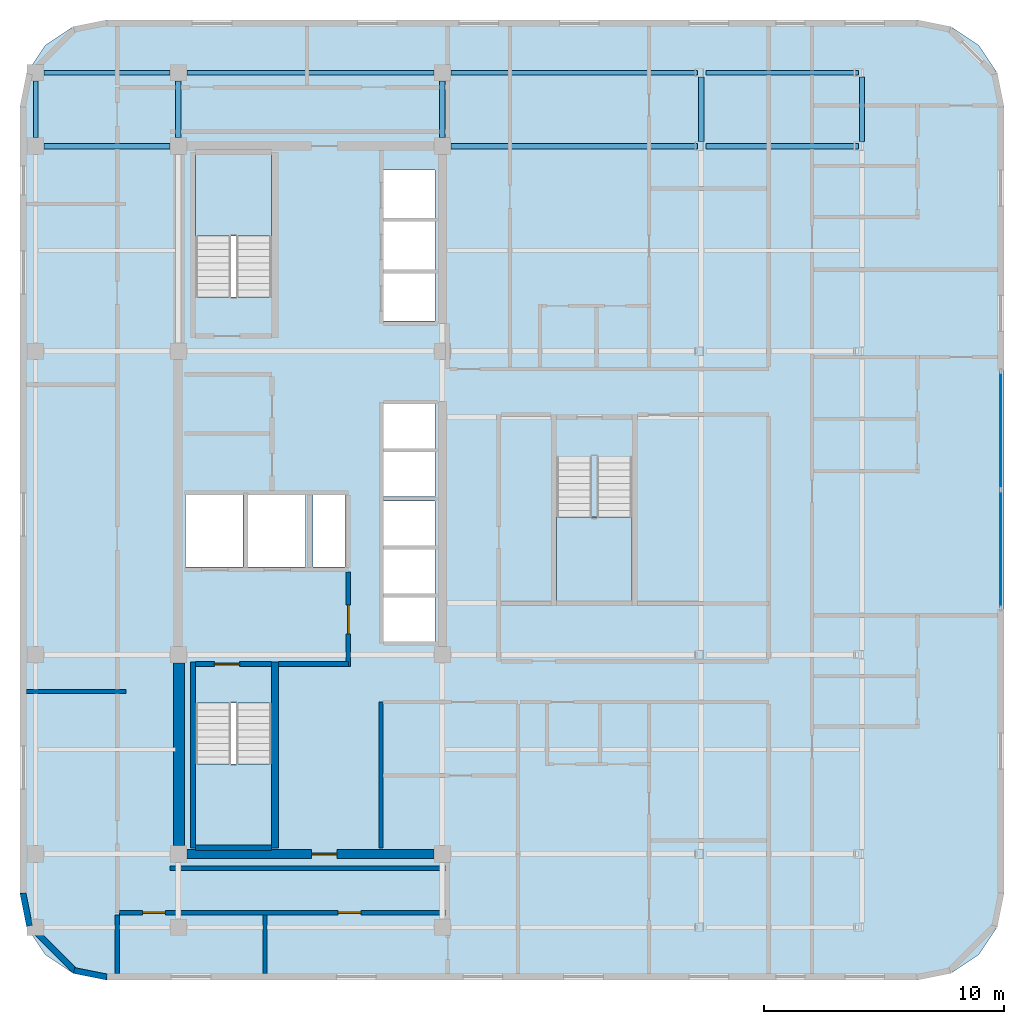
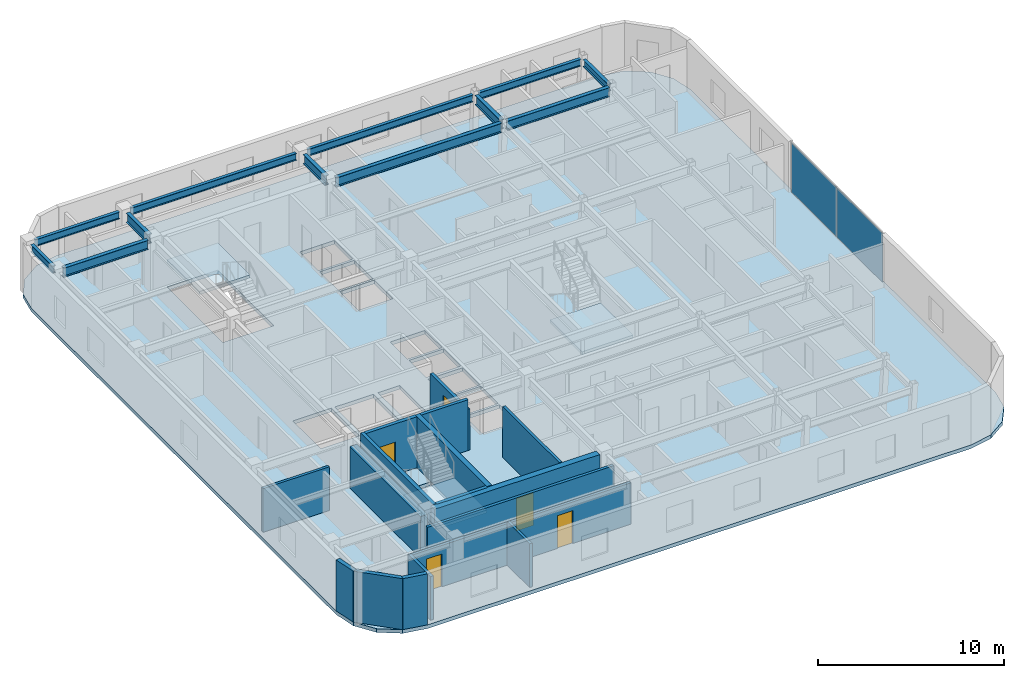
# One storey, part 3 of 9: 17 walls, 12 beams, 5 doors, 4 slabs, 2 plates, 5 openings, 4 elements without a shape of their own.
"""IFC4 building model written with IfcOpenShell, lengths in metres."""

from ifc_helpers import new_model, si_unit, direction, frame, frame_2d, origin, origin_2d, place, context, subcontext, project, spatial, polyline, rectangle, i_section, outline, extrude, material, layer, layer_set, material_profile, profile_set, type_object, element, fill, aggregate, save


model = new_model("IFC4")

# Units and contexts
model_context = context("Model", 3, precision=1e-05, world=origin(), true_north=direction((0.0, 1.0)))
body_context = subcontext(model_context, "Body", "Model", "MODEL_VIEW")
ifc_project = project(units=[si_unit("LENGTHUNIT", "METRE"), si_unit("AREAUNIT", "SQUARE_METRE"), si_unit("VOLUMEUNIT", "CUBIC_METRE"), si_unit("PLANEANGLEUNIT", "RADIAN"), si_unit("MASSUNIT", "GRAM", prefix="KILO")], contexts=[model_context])

# Site, building, storey
site_placement = place(None, origin())
site = spatial("IfcSite", under=ifc_project, at=site_placement, CompositionType="ELEMENT")
building_placement = place(site_placement, origin())
building = spatial("IfcBuilding", under=site, at=building_placement, Name="Ochreholt Gables", CompositionType="ELEMENT")
storey_placement = place(building_placement, frame((0.0, 0.0, 169.800048828125)))
storey = spatial("IfcBuildingStorey", under=building, at=storey_placement, Name="L44", CompositionType="ELEMENT", Elevation=169.800048828125)

# Beams
ifc_material_1 = material(Name="Steel CSA G40.21 350W", Category="steel")
ifc_material_profile_1 = material_profile(ifc_material_1, i_section(OverallWidth=0.22900390625, OverallDepth=0.612060546875, WebThickness=0.011962890625, FlangeThickness=0.01953125, at=origin_2d()), Name="W610X125")
ifc_profile_set_1 = profile_set([ifc_material_profile_1], Name="Steel CSA G40.21 350W")
beam_type_1 = type_object("IfcBeamType", Name="BM-G-W610B", PredefinedType="BEAM", material=ifc_profile_set_1)
beam_1_placement = place(storey_placement, frame((18.599609375, 38.75, 3.0439453125), z_axis=(1.0, 0.0, 0.0), x_axis=(0.0, 1.0, 0.0)))
element("IfcBeam", 1, at=beam_1_placement, inside=storey, type_object=beam_type_1, Name="L44 Beam TBG-L44-W3C1-Y5", PredefinedType="BEAM", context=body_context, shape_type="SweptSolid", body=[
    extrude(i_section(OverallWidth=0.22900390625, OverallDepth=0.612060546875, WebThickness=0.011962890625, FlangeThickness=0.01953125, at=origin_2d()), origin(), (0.0, 0.0, 1.0), 5.250732421875),
])
beam_2_placement = place(storey_placement, frame((35.549560546875, 38.75, 3.0439453125), z_axis=(1.0, 0.0, 0.0), x_axis=(0.0, 1.0, 0.0)))
element("IfcBeam", 2, at=beam_2_placement, inside=storey, type_object=beam_type_1, Name="L44 Beam TBG-L44-C2EM-Y5", PredefinedType="BEAM", context=body_context, shape_type="SweptSolid", body=[
    extrude(i_section(OverallWidth=0.22900390625, OverallDepth=0.612060546875, WebThickness=0.011962890625, FlangeThickness=0.01953125, at=origin_2d()), origin(), (0.0, 0.0, 1.0), 10.27783203125),
])
beam_3_placement = place(storey_placement, frame((46.1826171875, 38.75, 3.0439453125), z_axis=(1.0, 0.0, 0.0), x_axis=(0.0, 1.0, 0.0)))
element("IfcBeam", 3, at=beam_3_placement, inside=storey, type_object=beam_type_1, Name="L44 Beam TBG-L44-EMEE-Y5", PredefinedType="BEAM", context=body_context, shape_type="SweptSolid", body=[
    extrude(i_section(OverallWidth=0.22900390625, OverallDepth=0.612060546875, WebThickness=0.011962890625, FlangeThickness=0.01953125, at=origin_2d()), origin(), (0.0, 0.0, 1.0), 6.353759765625),
])
for number, where, z_axis, x_axis, name in (
    (4, (24.199951171875, 39.099609375, 3.0439453125), (0.0, 1.0, 0.0), (-1.0, 0.0, 0.0), "L44 Beam TBN-L44-C1-Y5Y6"),
    (5, (35.199951171875, 39.099609375, 3.0439453125), (0.0, 1.0, 0.0), (-1.0, 0.0, 0.0), "L44 Beam TBN-L44-C2-Y5Y6"),
):
    element("IfcBeam", number, at=place(storey_placement, frame(where, z_axis=z_axis, x_axis=x_axis)), inside=storey, type_object=beam_type_1, Name=name, PredefinedType="BEAM", context=body_context, shape_type="SweptSolid", body=[
        extrude(i_section(OverallWidth=0.22900390625, OverallDepth=0.612060546875, WebThickness=0.011962890625, FlangeThickness=0.01953125, at=origin_2d()), origin(), (0.0, 0.0, 1.0), 2.350830078125),
    ])
beam_4_placement = place(storey_placement, frame((45.987548828125, 38.927490234375, 3.0439453125), z_axis=(0.0, 1.0, 0.0), x_axis=(-1.0, 0.0, 0.0)))
element("IfcBeam", 6, at=beam_4_placement, inside=storey, type_object=beam_type_1, Name="L44 Beam TBN-L44-EM-Y5Y6", PredefinedType="BEAM", context=body_context, shape_type="SweptSolid", body=[
    extrude(i_section(OverallWidth=0.22900390625, OverallDepth=0.612060546875, WebThickness=0.011962890625, FlangeThickness=0.01953125, at=origin_2d()), origin(), (0.0, 0.0, 1.0), 2.69482421875),
])
ifc_material_profile_2 = material_profile(ifc_material_1, i_section(OverallWidth=0.19189453125, OverallDepth=0.462890625, WebThickness=0.010498046875, FlangeThickness=0.017578125, at=origin_2d()), Name="W460X89")
ifc_profile_set_2 = profile_set([ifc_material_profile_2], Name="Steel CSA G40.21 350W")
beam_type_2 = type_object("IfcBeamType", Name="BM-SP-W460A", PredefinedType="SPANDREL", material=ifc_profile_set_2)
beam_5_placement = place(storey_placement, frame((18.599609375, 41.800048828125, 3.118408203125), z_axis=(1.0, 0.0, 0.0), x_axis=(0.0, 1.0, 0.0)))
element("IfcBeam", 7, at=beam_5_placement, inside=storey, type_object=beam_type_2, Name="L44 Beam TBG-L44-W3C1-Y6", PredefinedType="SPANDREL", context=body_context, shape_type="SweptSolid", body=[
    extrude(i_section(OverallWidth=0.19189453125, OverallDepth=0.462890625, WebThickness=0.010498046875, FlangeThickness=0.017578125, at=origin_2d()), origin(), (0.0, 0.0, 1.0), 5.250732421875),
])
beam_6_placement = place(storey_placement, frame((24.549560546875, 41.800048828125, 3.118408203125), z_axis=(1.0, 0.0, 0.0), x_axis=(0.0, 1.0, 0.0)))
element("IfcBeam", 8, at=beam_6_placement, inside=storey, type_object=beam_type_2, Name="L44 Beam TBG-L44-C1C2-Y6", PredefinedType="SPANDREL", context=body_context, shape_type="SweptSolid", body=[
    extrude(i_section(OverallWidth=0.19189453125, OverallDepth=0.462890625, WebThickness=0.010498046875, FlangeThickness=0.017578125, at=origin_2d()), origin(), (0.0, 0.0, 1.0), 10.30078125),
])
beam_7_placement = place(storey_placement, frame((35.549560546875, 41.800048828125, 3.118408203125), z_axis=(1.0, 0.0, 0.0), x_axis=(0.0, 1.0, 0.0)))
element("IfcBeam", 9, at=beam_7_placement, inside=storey, type_object=beam_type_2, Name="L44 Beam TBG-L44-C2EM-Y6", PredefinedType="SPANDREL", context=body_context, shape_type="SweptSolid", body=[
    extrude(i_section(OverallWidth=0.19189453125, OverallDepth=0.462890625, WebThickness=0.010498046875, FlangeThickness=0.017578125, at=origin_2d()), origin(), (0.0, 0.0, 1.0), 10.27783203125),
])
beam_8_placement = place(storey_placement, frame((46.1826171875, 41.800048828125, 3.118408203125), z_axis=(1.0, 0.0, 0.0), x_axis=(0.0, 1.0, 0.0)))
element("IfcBeam", 10, at=beam_8_placement, inside=storey, type_object=beam_type_2, Name="L44 Beam TBG-L44-EMEE-Y6", PredefinedType="SPANDREL", context=body_context, shape_type="SweptSolid", body=[
    extrude(i_section(OverallWidth=0.19189453125, OverallDepth=0.462890625, WebThickness=0.010498046875, FlangeThickness=0.017578125, at=origin_2d()), origin(), (0.0, 0.0, 1.0), 6.353759765625),
])
beam_9_placement = place(storey_placement, frame((18.25, 39.099609375, 3.118408203125), z_axis=(0.0, 1.0, 0.0), x_axis=(-1.0, 0.0, 0.0)))
element("IfcBeam", 11, at=beam_9_placement, inside=storey, type_object=beam_type_2, Name="L44 Beam TBN-L44-W3-Y5Y6", PredefinedType="SPANDREL", context=body_context, shape_type="SweptSolid", body=[
    extrude(i_section(OverallWidth=0.19189453125, OverallDepth=0.462890625, WebThickness=0.010498046875, FlangeThickness=0.017578125, at=origin_2d()), origin(), (0.0, 0.0, 1.0), 2.350830078125),
])
beam_10_placement = place(storey_placement, frame((52.68505859375, 38.927490234375, 3.118408203125), z_axis=(0.0, 1.0, 0.0), x_axis=(-1.0, 0.0, 0.0)))
element("IfcBeam", 12, at=beam_10_placement, inside=storey, type_object=beam_type_2, Name="L44 Beam TBN-L44-EE-Y5Y6", PredefinedType="SPANDREL", context=body_context, shape_type="SweptSolid", body=[
    extrude(i_section(OverallWidth=0.19189453125, OverallDepth=0.462890625, WebThickness=0.010498046875, FlangeThickness=0.017578125, at=origin_2d()), origin(), (0.0, 0.0, 1.0), 2.69482421875),
])

# Curtain wall, plates
ifc_material_2 = material(Name="Unitised Aluminium and Triple Glazing", Category="aluminium")
ifc_layer_1 = layer(ifc_material_2, 0.199951171875, Name="Unitised Aluminium and Triple Glazing")
ifc_layer_set_1 = layer_set([ifc_layer_1], Name="Unitised Aluminium and Triple Glazing")
curtain_wall_type = type_object("IfcCurtainWallType", Name="CW-SYS4", PredefinedType="NOTDEFINED", material=ifc_layer_set_1)
curtain_wall_placement = place(storey_placement, origin())
curtain_wall = element("IfcCurtainWall", 13, at=curtain_wall_placement, inside=storey, type_object=curtain_wall_type, Name="L44 East Unitised Curtain Wall", PredefinedType="NOTDEFINED")
ifc_material_3 = material(Name="Triple Low-E Insulating Glass", Category="glass")
ifc_layer_2 = layer(ifc_material_3, 0.035888671875, Name="Triple Low-E Insulating Glass")
ifc_layer_set_2 = layer_set([ifc_layer_2], Name="Triple Low-E Insulating Glass")
plate_type = type_object("IfcPlateType", Name="CW-PNL-36", PredefinedType="CURTAIN_PANEL", material=ifc_layer_set_2)
plate_1_placement = place(storey_placement, frame((58.4599609375, 21.956298828125, 0.06494140625), z_axis=(0.0, 0.0, 1.0), x_axis=(0.0, 1.0, 0.0)))
plate_1 = element("IfcPlate", 14, at=plate_1_placement, type_object=plate_type, Name="CW-4 panel 1.1", PredefinedType="CURTAIN_PANEL", context=body_context, shape_type="SweptSolid", body=[
    extrude(rectangle(XDim=4.862548828125, YDim=0.035888671875, at=origin_2d()), origin(), (0.0, 0.0, 1.0), 3.219970703125),
])
plate_2_placement = place(storey_placement, frame((58.4599609375, 26.893798828125, 0.06494140625), z_axis=(0.0, 0.0, 1.0), x_axis=(0.0, 1.0, 0.0)))
plate_2 = element("IfcPlate", 15, at=plate_2_placement, type_object=plate_type, Name="CW-4 panel 2.1", PredefinedType="CURTAIN_PANEL", context=body_context, shape_type="SweptSolid", body=[
    extrude(rectangle(XDim=4.862548828125, YDim=0.035888671875, at=origin_2d()), origin(), (0.0, 0.0, 1.0), 3.219970703125),
])
aggregate(curtain_wall, [plate_1, plate_2])

# Stair, slab
ifc_material_4 = material(Name="Concrete 40 MPa", Category="concrete")
stair_type_1 = type_object("IfcStairType", Name="STAIR-CORE-ST-1", PredefinedType="HALF_TURN_STAIR", material=ifc_material_4)
stair_1_placement = place(storey_placement, origin())
stair_1 = element("IfcStair", 16, at=stair_1_placement, inside=storey, type_object=stair_type_1, Name="L44 Core Exit Stair 1", PredefinedType="HALF_TURN_STAIR")
ifc_layer_3 = layer(ifc_material_4, 0.199951171875, Name="Concrete 40 MPa")
ifc_layer_set_3 = layer_set([ifc_layer_3], Name="Concrete 40 MPa")
slab_type_1 = type_object("IfcSlabType", Name="LANDING-RC200", PredefinedType="LANDING", material=ifc_layer_set_3)
slab_1_placement = place(storey_placement, frame((0.0, 0.0, 1.599853515625)))
slab_1 = element("IfcSlab", 17, at=slab_1_placement, type_object=slab_type_1, Name="ST-1 landing 1", PredefinedType="LANDING", context=body_context, shape_type="SweptSolid", body=[
    extrude(outline(polyline([(24.919921875, 13.001953125), (24.919921875, 9.52001953125), (28.080078125, 9.52001953125), (28.080078125, 13.001953125), (24.919921875, 13.001953125)])), origin(), (0.0, 0.0, 1.0), 0.2001953125),
])
aggregate(stair_1, [slab_1])

stair_type_2 = type_object("IfcStairType", Name="STAIR-CORE-ST-2", PredefinedType="HALF_TURN_STAIR", material=ifc_material_4)
stair_2_placement = place(storey_placement, origin())
stair_2 = element("IfcStair", 18, at=stair_2_placement, inside=storey, type_object=stair_type_2, Name="L44 Core Exit Stair 2", PredefinedType="HALF_TURN_STAIR")
slab_2_placement = place(storey_placement, frame((0.0, 0.0, 1.599853515625)))
slab_2 = element("IfcSlab", 19, at=slab_2_placement, type_object=slab_type_1, Name="ST-2 landing 1", PredefinedType="LANDING", context=body_context, shape_type="SweptSolid", body=[
    extrude(outline(polyline([(28.080078125, 34.998046875), (28.080078125, 38.47998046875), (24.919921875, 38.47998046875), (24.919921875, 34.998046875), (28.080078125, 34.998046875)])), origin(), (0.0, 0.0, 1.0), 0.2001953125),
])
aggregate(stair_2, [slab_2])

stair_type_3 = type_object("IfcStairType", Name="STAIR-CORE-ST-C4", PredefinedType="HALF_TURN_STAIR", material=ifc_material_4)
stair_3_placement = place(storey_placement, origin())
stair_3 = element("IfcStair", 20, at=stair_3_placement, inside=storey, type_object=stair_type_3, Name="L44 Community Feature Stair ST-C4", PredefinedType="HALF_TURN_STAIR")
slab_3_placement = place(storey_placement, frame((0.0, 0.0, 1.599853515625)))
slab_3 = element("IfcSlab", 21, at=slab_3_placement, type_object=slab_type_1, Name="ST-C4 landing 1", PredefinedType="LANDING", context=body_context, shape_type="SweptSolid", body=[
    extrude(outline(polyline([(39.949951171875, 23.281982421875), (39.949951171875, 19.800048828125), (43.110107421875, 19.800048828125), (43.110107421875, 23.281982421875), (39.949951171875, 23.281982421875)])), origin(), (0.0, 0.0, 1.0), 0.2001953125),
])
aggregate(stair_3, [slab_3])

# Slab
ifc_layer_4 = layer(ifc_material_4, 0.239990234375, Name="Concrete 40 MPa")
ifc_layer_set_4 = layer_set([ifc_layer_4], Name="Concrete 40 MPa")
slab_type_2 = type_object("IfcSlabType", Name="SLAB-TWR-240", PredefinedType="FLOOR", material=ifc_layer_set_4)
slab_4_placement = place(storey_placement, frame((0.0, 0.0, -0.239990234375)))
element("IfcSlab", 22, at=slab_4_placement, inside=storey, type_object=slab_type_2, Name="L44 Structural Floor Slab", PredefinedType="FLOOR", context=body_context, shape_type="SweptSolid", body=[
    extrude(outline(polyline([(17.60009765625, 7.60009765625), (17.8740234375, 6.222412109375), (18.654296875, 5.054443359375), (19.822265625, 4.27392578125), (21.199951171875, 4.0), (55.0, 4.0), (56.377685546875, 4.27392578125), (57.545654296875, 5.054443359375), (58.325927734375, 6.222412109375), (58.60009765625, 7.60009765625), (58.60009765625, 40.39990234375), (58.325927734375, 41.777587890625), (57.545654296875, 42.945556640625), (56.377685546875, 43.72607421875), (55.0, 44.0), (21.199951171875, 44.0), (19.822265625, 43.72607421875), (18.654296875, 42.945556640625), (17.8740234375, 41.777587890625), (17.60009765625, 40.39990234375), (17.60009765625, 7.60009765625)]), holes=[polyline([(24.919921875, 15.539306640625), (24.919921875, 9.52001953125), (28.080078125, 9.52001953125), (28.080078125, 15.539306640625), (24.919921875, 15.539306640625)]), polyline([(28.080078125, 32.460693359375), (28.080078125, 38.47998046875), (24.919921875, 38.47998046875), (24.919921875, 32.460693359375), (28.080078125, 32.460693359375)]), polyline([(24.5, 21.199951171875), (26.89990234375, 21.199951171875), (26.89990234375, 24.199951171875), (24.5, 24.199951171875), (24.5, 21.199951171875)]), polyline([(27.10009765625, 21.199951171875), (29.5, 21.199951171875), (29.5, 24.199951171875), (27.10009765625, 24.199951171875), (27.10009765625, 21.199951171875)]), polyline([(32.75, 18.10009765625), (34.89990234375, 18.10009765625), (34.89990234375, 19.949951171875), (32.75, 19.949951171875), (32.75, 18.10009765625)]), polyline([(32.75, 20.10009765625), (34.89990234375, 20.10009765625), (34.89990234375, 21.949951171875), (32.75, 21.949951171875), (32.75, 20.10009765625)]), polyline([(32.75, 22.10009765625), (34.89990234375, 22.10009765625), (34.89990234375, 23.949951171875), (32.75, 23.949951171875), (32.75, 22.10009765625)]), polyline([(32.75, 24.14990234375), (34.89990234375, 24.14990234375), (34.89990234375, 26.0), (32.75, 26.0), (32.75, 24.14990234375)]), polyline([(32.75, 26.14990234375), (34.89990234375, 26.14990234375), (34.89990234375, 28.0), (32.75, 28.0), (32.75, 26.14990234375)]), polyline([(32.75, 31.449951171875), (34.89990234375, 31.449951171875), (34.89990234375, 33.449951171875), (32.75, 33.449951171875), (32.75, 31.449951171875)]), polyline([(32.75, 33.60009765625), (34.89990234375, 33.60009765625), (34.89990234375, 35.60009765625), (32.75, 35.60009765625), (32.75, 33.60009765625)]), polyline([(32.75, 35.75), (34.89990234375, 35.75), (34.89990234375, 37.75), (32.75, 37.75), (32.75, 35.75)]), polyline([(29.800048828125, 21.199951171875), (31.14990234375, 21.199951171875), (31.14990234375, 24.199951171875), (29.800048828125, 24.199951171875), (29.800048828125, 21.199951171875)])]), origin(), (0.0, 0.0, 1.0), 0.239990234375),
])

# Wall, opening, door
ifc_material_5 = material(Name="Concrete 50 MPa", Category="concrete")
ifc_layer_5 = layer(ifc_material_5, 0.3798828125, Name="Concrete 50 MPa")
ifc_layer_set_5 = layer_set([ifc_layer_5], Name="Concrete 50 MPa")
wall_type_1 = type_object("IfcWallType", Name="WALL-CSW-380", PredefinedType="SHEAR", material=ifc_layer_set_5)
wall_1_placement = place(storey_placement, frame((24.550048828125, 9.25, 0.0), z_axis=(0.0, 0.0, 1.0), x_axis=(1.0, 0.0, 0.0)))
wall_1 = element("IfcWall", 23, at=wall_1_placement, inside=storey, type_object=wall_type_1, Name="L44 Core South Shear Wall", PredefinedType="SHEAR", context=body_context, shape_type="SweptSolid", body=[
    extrude(rectangle(XDim=10.300048828125, YDim=0.3798828125, at=frame_2d((5.14990234375, 0.0))), origin(), (0.0, 0.0, 1.0), 3.349853515625),
])
opening_1_placement = place(wall_1_placement, frame((5.199951171875, 0.0, 0.0)))
opening_1 = element("IfcOpeningElement", 24, at=opening_1_placement, cuts=wall_1, Name="Opening D-FLB", PredefinedType="OPENING", context=body_context, shape_type="SweptSolid", body=[
    extrude(rectangle(XDim=1.050048828125, YDim=2.14990234375, at=frame_2d((0.52490234375, 1.074951171875))), frame((0.0, 0.199951171875, 0.0), z_axis=(0.0, -1.0, 0.0), x_axis=(1.0, 0.0, 0.0)), (0.0, 0.0, 1.0), 0.39990234375),
])
ifc_material_6 = material(Name="Hollow Metal Steel", Category="steel")
door_type_1 = type_object("IfcDoorType", Name="DR-INT-FLB1050", OperationType="NOTDEFINED", PredefinedType="DOOR", material=ifc_material_6)
door_1_placement = place(opening_1_placement, origin())
door_1 = element("IfcDoor", 25, at=door_1_placement, inside=storey, type_object=door_type_1, Name="L44 Door D-C2CRS-L44", OperationType="SINGLE_SWING_LEFT", OverallHeight=2.14990234375, OverallWidth=1.050048828125, PredefinedType="DOOR", context=body_context, shape_type="SweptSolid", body=[
    extrude(rectangle(XDim=1.050048828125, YDim=2.14990234375, at=frame_2d((0.52490234375, 1.074951171875))), frame((0.0, 0.02490234375, 0.0), z_axis=(0.0, -1.0, 0.0), x_axis=(1.0, 0.0, 0.0)), (0.0, 0.0, 1.0), 0.050048828125),
])
fill(opening_1, door_1)

# Walls
ifc_material_7 = material(Name="Concrete 60 MPa", Category="concrete")
ifc_layer_6 = layer(ifc_material_7, 0.449951171875, Name="Concrete 60 MPa")
ifc_layer_set_6 = layer_set([ifc_layer_6], Name="Concrete 60 MPa")
wall_type_2 = type_object("IfcWallType", Name="WALL-CSW-450", PredefinedType="SHEAR", material=ifc_layer_set_6)
wall_2_placement = place(storey_placement, frame((24.22509765625, 9.60009765625, 0.0), z_axis=(0.0, 0.0, 1.0), x_axis=(0.0, 1.0, 0.0)))
element("IfcWall", 26, at=wall_2_placement, inside=storey, type_object=wall_type_2, Name="L44 Core West Shear Wall WS", PredefinedType="SHEAR", context=body_context, shape_type="SweptSolid", body=[
    extrude(rectangle(XDim=7.599853515625, YDim=0.449951171875, at=frame_2d((3.7998046875, 0.0))), origin(), (0.0, 0.0, 1.0), 2.738037109375),
])
ifc_material_8 = material(Name="Precast concrete 40 MPa", Category="concrete")
ifc_layer_7 = layer(ifc_material_8, 0.25, Name="Precast concrete 40 MPa")
ifc_layer_set_7 = layer_set([ifc_layer_7], Name="Precast concrete 40 MPa")
wall_type_3 = type_object("IfcWallType", Name="WALL-EXT-CNR", PredefinedType="SOLIDWALL", material=ifc_layer_set_7)
wall_3_placement = place(storey_placement, frame((17.72412109375, 7.616455078125, 0.0), z_axis=(0.0, 0.0, 1.0), x_axis=(0.195135625965, -0.9807762678, 0.0)))
element("IfcWall", 27, at=wall_3_placement, inside=storey, type_object=wall_type_3, Name="L44 Rounded Corner Wall SW-1", PredefinedType="SOLIDWALL", context=body_context, shape_type="SweptSolid", body=[
    extrude(rectangle(XDim=1.388671875, YDim=0.25, at=frame_2d((0.6943359375, 0.0))), origin(), (0.0, 0.0, 1.0), 3.349853515625),
])
wall_4_placement = place(storey_placement, frame((17.968017578125, 6.304931640625, 0.0), z_axis=(0.0, 0.0, 1.0), x_axis=(0.707106781187, -0.707106781187, 0.0)))
element("IfcWall", 28, at=wall_4_placement, inside=storey, type_object=wall_type_3, Name="L44 Rounded Corner Wall SW-2", PredefinedType="SOLIDWALL", context=body_context, shape_type="SweptSolid", body=[
    extrude(rectangle(XDim=2.7392578125, YDim=0.25, at=frame_2d((1.36962890625, 0.0))), origin(), (0.0, 0.0, 1.0), 3.349853515625),
])
wall_5_placement = place(storey_placement, frame((19.8544921875, 4.39501953125, 0.0), z_axis=(0.0, 0.0, 1.0), x_axis=(0.980809899341, -0.19496651342, 0.0)))
element("IfcWall", 29, at=wall_5_placement, inside=storey, type_object=wall_type_3, Name="L44 Rounded Corner Wall SW-3", PredefinedType="SOLIDWALL", context=body_context, shape_type="SweptSolid", body=[
    extrude(rectangle(XDim=1.388671875, YDim=0.25, at=frame_2d((0.6943359375, 0.0))), origin(), (0.0, 0.0, 1.0), 3.349853515625),
])
ifc_layer_8 = layer(ifc_material_4, 0.199951171875, Name="Concrete 40 MPa")
ifc_layer_set_8 = layer_set([ifc_layer_8], Name="Concrete 40 MPa")
wall_type_4 = type_object("IfcWallType", Name="WALL-INT-CF200", PredefinedType="STANDARD", material=ifc_layer_set_8)
wall_6_placement = place(storey_placement, frame((28.3798828125, 17.169921875, 0.0), z_axis=(0.0, 0.0, 1.0), x_axis=(1.0, 0.0, 0.0)))
element("IfcWall", 30, at=wall_6_placement, inside=storey, type_object=wall_type_4, Name="L44 Interior Wall WI-FFS-L44", PredefinedType="STANDARD", context=body_context, shape_type="SweptSolid", body=[
    extrude(rectangle(XDim=2.900146484375, YDim=0.199951171875, at=frame_2d((1.4501953125, 0.0))), origin(), (0.0, 0.0, 1.0), 3.349853515625),
])

# Wall, opening, door
wall_7_placement = place(storey_placement, frame((31.280029296875, 17.070068359375, 0.0), z_axis=(0.0, 0.0, 1.0), x_axis=(0.0, 1.0, 0.0)))
wall_7 = element("IfcWall", 31, at=wall_7_placement, inside=storey, type_object=wall_type_4, Name="L44 Interior Wall WI-FFE-L44", PredefinedType="STANDARD", context=body_context, shape_type="SweptSolid", body=[
    extrude(rectangle(XDim=3.919921875, YDim=0.199951171875, at=frame_2d((1.9599609375, 0.0))), origin(), (0.0, 0.0, 1.0), 2.719970703125),
])
opening_2_placement = place(wall_7_placement, frame((1.35009765625, 0.0, 0.0)))
opening_2 = element("IfcOpeningElement", 32, at=opening_2_placement, cuts=wall_7, Name="Opening D-FFL", PredefinedType="OPENING", context=body_context, shape_type="SweptSolid", body=[
    extrude(rectangle(XDim=1.199951171875, YDim=2.14990234375, at=frame_2d((0.60009765625, 1.074951171875))), frame((0.0, 0.10986328125, 0.0), z_axis=(0.0, -1.0, 0.0), x_axis=(1.0, 0.0, 0.0)), (0.0, 0.0, 1.0), 0.219970703125),
])
door_type_2 = type_object("IfcDoorType", Name="DR-INT-FFL1200", OperationType="NOTDEFINED", PredefinedType="DOOR", material=ifc_material_6)
door_2_placement = place(opening_2_placement, origin())
door_2 = element("IfcDoor", 33, at=door_2_placement, inside=storey, type_object=door_type_2, Name="L44 Door D-FFL-L44", OperationType="SINGLE_SWING_LEFT", OverallHeight=2.14990234375, OverallWidth=1.199951171875, PredefinedType="DOOR", context=body_context, shape_type="SweptSolid", body=[
    extrude(rectangle(XDim=1.199951171875, YDim=2.14990234375, at=frame_2d((0.60009765625, 1.074951171875))), frame((0.0, 0.02490234375, 0.0), z_axis=(0.0, -1.0, 0.0), x_axis=(1.0, 0.0, 0.0)), (0.0, 0.0, 1.0), 0.050048828125),
])
fill(opening_2, door_2)

# Wall, openings, doors
ifc_material_9 = material(Name="Fire-Rated Gypsum Acoustic Partition", Category="gypsum")
ifc_layer_9 = layer(ifc_material_9, 0.179931640625, Name="Fire-Rated Gypsum Acoustic Partition")
ifc_layer_set_9 = layer_set([ifc_layer_9], Name="Fire-Rated Gypsum Acoustic Partition")
wall_type_5 = type_object("IfcWallType", Name="WALL-INT-CR180", PredefinedType="STANDARD", material=ifc_layer_set_9)
wall_8_placement = place(storey_placement, frame((21.739990234375, 6.800048828125, 0.0), z_axis=(0.0, 0.0, 1.0), x_axis=(1.0, 0.0, 0.0)))
wall_8 = element("IfcWall", 34, at=wall_8_placement, inside=storey, type_object=wall_type_5, Name="L44 Interior Wall WI-C2WCS-L44", PredefinedType="STANDARD", context=body_context, shape_type="SweptSolid", body=[
    extrude(rectangle(XDim=13.679931640625, YDim=0.179931640625, at=frame_2d((6.83984375, 0.0))), origin(), (0.0, 0.0, 1.0), 2.719970703125),
])
opening_3_placement = place(wall_8_placement, frame((0.969970703125, 0.0, 0.0)))
opening_3 = element("IfcOpeningElement", 35, at=opening_3_placement, cuts=wall_8, Name="Opening D-GN1", PredefinedType="OPENING", context=body_context, shape_type="SweptSolid", body=[
    extrude(rectangle(XDim=0.949951171875, YDim=2.14990234375, at=frame_2d((0.47509765625, 1.074951171875))), frame((0.0, 0.099853515625, 0.0), z_axis=(0.0, -1.0, 0.0), x_axis=(1.0, 0.0, 0.0)), (0.0, 0.0, 1.0), 0.199951171875),
])
opening_4_placement = place(wall_8_placement, frame((9.110107421875, 0.0, 0.0)))
opening_4 = element("IfcOpeningElement", 36, at=opening_4_placement, cuts=wall_8, Name="Opening D-GN1", PredefinedType="OPENING", context=body_context, shape_type="SweptSolid", body=[
    extrude(rectangle(XDim=0.949951171875, YDim=2.14990234375, at=frame_2d((0.47509765625, 1.074951171875))), frame((0.0, 0.099853515625, 0.0), z_axis=(0.0, -1.0, 0.0), x_axis=(1.0, 0.0, 0.0)), (0.0, 0.0, 1.0), 0.199951171875),
])
ifc_material_10 = material(Name="Engineered Oak Timber", Category="wood")
door_type_3 = type_object("IfcDoorType", Name="DR-INT-GEN950", OperationType="NOTDEFINED", PredefinedType="DOOR", material=ifc_material_10)
door_3_placement = place(opening_3_placement, origin())
door_3 = element("IfcDoor", 37, at=door_3_placement, inside=storey, type_object=door_type_3, Name="L44 Door D-C2STL1-L44", OperationType="SINGLE_SWING_LEFT", OverallHeight=2.14990234375, OverallWidth=0.949951171875, PredefinedType="DOOR", context=body_context, shape_type="SweptSolid", body=[
    extrude(rectangle(XDim=0.949951171875, YDim=2.14990234375, at=frame_2d((0.47509765625, 1.074951171875))), frame((0.0, 0.02490234375, 0.0), z_axis=(0.0, -1.0, 0.0), x_axis=(1.0, 0.0, 0.0)), (0.0, 0.0, 1.0), 0.050048828125),
])
fill(opening_3, door_3)
door_4_placement = place(opening_4_placement, origin())
door_4 = element("IfcDoor", 38, at=door_4_placement, inside=storey, type_object=door_type_3, Name="L44 Door D-C2STL2-L44", OperationType="SINGLE_SWING_RIGHT", OverallHeight=2.14990234375, OverallWidth=0.949951171875, PredefinedType="DOOR", context=body_context, shape_type="SweptSolid", body=[
    extrude(rectangle(XDim=0.949951171875, YDim=2.14990234375, at=frame_2d((0.47509765625, 1.074951171875))), frame((0.0, 0.02490234375, 0.0), z_axis=(0.0, -1.0, 0.0), x_axis=(1.0, 0.0, 0.0)), (0.0, 0.0, 1.0), 0.050048828125),
])
fill(opening_4, door_4)

# Walls
wall_9_placement = place(storey_placement, frame((23.85009765625, 8.64990234375, 0.0), z_axis=(0.0, 0.0, 1.0), x_axis=(1.0, 0.0, 0.0)))
element("IfcWall", 39, at=wall_9_placement, inside=storey, type_object=wall_type_5, Name="L44 Interior Wall WI-C2WCS2-L44", PredefinedType="STANDARD", context=body_context, shape_type="SweptSolid", body=[
    extrude(rectangle(XDim=11.56982421875, YDim=0.179931640625, at=frame_2d((5.784912109375, 0.0))), origin(), (0.0, 0.0, 1.0), 2.719970703125),
])
ifc_material_11 = material(Name="Double-Stud Acoustic Demising Wall", Category="gypsum")
ifc_layer_10 = layer(ifc_material_11, 0.179931640625, Name="Double-Stud Acoustic Demising Wall")
ifc_layer_set_10 = layer_set([ifc_layer_10], Name="Double-Stud Acoustic Demising Wall")
wall_type_6 = type_object("IfcWallType", Name="WALL-INT-DM180", PredefinedType="PARTITIONING", material=ifc_layer_set_10)
wall_10_placement = place(storey_placement, frame((21.64990234375, 4.280029296875, 0.0), z_axis=(0.0, 0.0, 1.0), x_axis=(0.0, 1.0, 0.0)))
element("IfcWall", 40, at=wall_10_placement, inside=storey, type_object=wall_type_6, Name="L44 Interior Wall WI-C2WWS-L44", PredefinedType="PARTITIONING", context=body_context, shape_type="SweptSolid", body=[
    extrude(rectangle(XDim=2.429931640625, YDim=0.179931640625, at=frame_2d((1.21484375, 0.0))), origin(), (0.0, 0.0, 1.0), 2.868896484375),
])
ifc_material_12 = material(Name="Gypsum Acoustic Stud Partition", Category="gypsum")
ifc_layer_11 = layer(ifc_material_12, 0.1650390625, Name="Gypsum Acoustic Stud Partition")
ifc_layer_set_11 = layer_set([ifc_layer_11], Name="Gypsum Acoustic Stud Partition")
wall_type_7 = type_object("IfcWallType", Name="WALL-INT-PT165", PredefinedType="PARTITIONING", material=ifc_layer_set_11)
wall_11_placement = place(storey_placement, frame((32.64990234375, 9.5, 0.0), z_axis=(0.0, 0.0, 1.0), x_axis=(0.0, 1.0, 0.0)))
element("IfcWall", 41, at=wall_11_placement, inside=storey, type_object=wall_type_7, Name="L44 Interior Wall WI-RCL-W-L44", PredefinedType="PARTITIONING", context=body_context, shape_type="SweptSolid", body=[
    extrude(rectangle(XDim=6.080078125, YDim=0.1650390625, at=frame_2d((3.0400390625, 0.0))), origin(), (0.0, 0.0, 1.0), 3.349853515625),
])
wall_12_placement = place(storey_placement, frame((17.8798828125, 16.02490234375, 0.0), z_axis=(0.0, 0.0, 1.0), x_axis=(1.0, 0.0, 0.0)))
element("IfcWall", 42, at=wall_12_placement, inside=storey, type_object=wall_type_7, Name="L44 Interior Wall WU-L44W1-SDV", PredefinedType="PARTITIONING", context=body_context, shape_type="SweptSolid", body=[
    extrude(rectangle(XDim=4.130126953125, YDim=0.1650390625, at=frame_2d((2.06494140625, 0.0))), origin(), (0.0, 0.0, 1.0), 2.868896484375),
])
wall_13_placement = place(storey_placement, frame((27.800048828125, 4.280029296875, 0.0), z_axis=(0.0, 0.0, 1.0), x_axis=(0.0, 1.0, 0.0)))
element("IfcWall", 43, at=wall_13_placement, inside=storey, type_object=wall_type_7, Name="L44 Interior Wall WI-C2PKS-L44", PredefinedType="PARTITIONING", context=body_context, shape_type="SweptSolid", body=[
    extrude(rectangle(XDim=2.429931640625, YDim=0.1650390625, at=frame_2d((1.21484375, 0.0))), origin(), (0.0, 0.0, 1.0), 2.868896484375),
])
ifc_layer_12 = layer(ifc_material_7, 0.300048828125, Name="Concrete 60 MPa")
ifc_layer_set_12 = layer_set([ifc_layer_12], Name="Concrete 60 MPa")
wall_type_8 = type_object("IfcWallType", Name="WALL-SPN-300", PredefinedType="SHEAR", material=ifc_layer_set_12)
wall_14_placement = place(storey_placement, frame((28.22998046875, 9.5, 0.0), z_axis=(0.0, 0.0, 1.0), x_axis=(0.0, 1.0, 0.0)))
element("IfcWall", 44, at=wall_14_placement, inside=storey, type_object=wall_type_8, Name="L44 Core South Spine Shear Wall", PredefinedType="SHEAR", context=body_context, shape_type="SweptSolid", body=[
    extrude(rectangle(XDim=7.760009765625, YDim=0.300048828125, at=frame_2d((3.8798828125, 0.0))), origin(), (0.0, 0.0, 1.0), 3.349853515625),
])
ifc_layer_13 = layer(ifc_material_5, 0.219970703125, Name="Concrete 50 MPa")
ifc_layer_set_13 = layer_set([ifc_layer_13], Name="Concrete 50 MPa")
wall_type_9 = type_object("IfcWallType", Name="WALL-STW-220", PredefinedType="SHEAR", material=ifc_layer_set_13)
wall_15_placement = place(storey_placement, frame((24.81005859375, 9.5, 0.0), z_axis=(0.0, 0.0, 1.0), x_axis=(0.0, 1.0, 0.0)))
element("IfcWall", 45, at=wall_15_placement, inside=storey, type_object=wall_type_9, Name="L44 Exit Stair 1 West Wall", PredefinedType="SHEAR", context=body_context, shape_type="SweptSolid", body=[
    extrude(rectangle(XDim=7.760009765625, YDim=0.219970703125, at=frame_2d((3.8798828125, 0.0))), origin(), (0.0, 0.0, 1.0), 3.349853515625),
])
wall_16_placement = place(storey_placement, frame((24.919921875, 9.510009765625, 0.0), z_axis=(0.0, 0.0, 1.0), x_axis=(1.0, 0.0, 0.0)))
element("IfcWall", 46, at=wall_16_placement, inside=storey, type_object=wall_type_9, Name="L44 Exit Stair 1 South Wall", PredefinedType="SHEAR", context=body_context, shape_type="SweptSolid", body=[
    extrude(rectangle(XDim=3.16015625, YDim=0.219970703125, at=frame_2d((1.580078125, 0.0))), origin(), (0.0, 0.0, 1.0), 3.349853515625),
])

# Wall, opening, door
wall_17_placement = place(storey_placement, frame((24.919921875, 17.169921875, 0.0), z_axis=(0.0, 0.0, 1.0), x_axis=(1.0, 0.0, 0.0)))
wall_17 = element("IfcWall", 47, at=wall_17_placement, inside=storey, type_object=wall_type_9, Name="L44 Exit Stair 1 North Wall", PredefinedType="SHEAR", context=body_context, shape_type="SweptSolid", body=[
    extrude(rectangle(XDim=3.16015625, YDim=0.219970703125, at=frame_2d((1.580078125, 0.0))), origin(), (0.0, 0.0, 1.0), 3.349853515625),
])
opening_5_placement = place(wall_17_placement, frame((0.780029296875, 0.0, 0.0)))
opening_5 = element("IfcOpeningElement", 48, at=opening_5_placement, cuts=wall_17, Name="Opening D-STC", PredefinedType="OPENING", context=body_context, shape_type="SweptSolid", body=[
    extrude(rectangle(XDim=1.050048828125, YDim=2.14990234375, at=frame_2d((0.52490234375, 1.074951171875))), frame((0.0, 0.119873046875, 0.0), z_axis=(0.0, -1.0, 0.0), x_axis=(1.0, 0.0, 0.0)), (0.0, 0.0, 1.0), 0.239990234375),
])
door_type_4 = type_object("IfcDoorType", Name="DR-INT-ST1050", OperationType="NOTDEFINED", PredefinedType="DOOR", material=ifc_material_6)
door_5_placement = place(opening_5_placement, frame((1.050048828125, 0.0, 0.0), z_axis=(0.0, 0.0, 1.0), x_axis=(-1.0, 0.0, 0.0)))
door_5 = element("IfcDoor", 49, at=door_5_placement, inside=storey, type_object=door_type_4, Name="L44 Door D-ST1-L44", OperationType="SINGLE_SWING_LEFT", OverallHeight=2.14990234375, OverallWidth=1.050048828125, PredefinedType="DOOR", context=body_context, shape_type="SweptSolid", body=[
    extrude(rectangle(XDim=1.050048828125, YDim=2.14990234375, at=frame_2d((0.52490234375, 1.074951171875))), frame((0.0, 0.02490234375, 0.0), z_axis=(0.0, -1.0, 0.0), x_axis=(1.0, 0.0, 0.0)), (0.0, 0.0, 1.0), 0.050048828125),
])
fill(opening_5, door_5)

save(model, "model.ifc")
